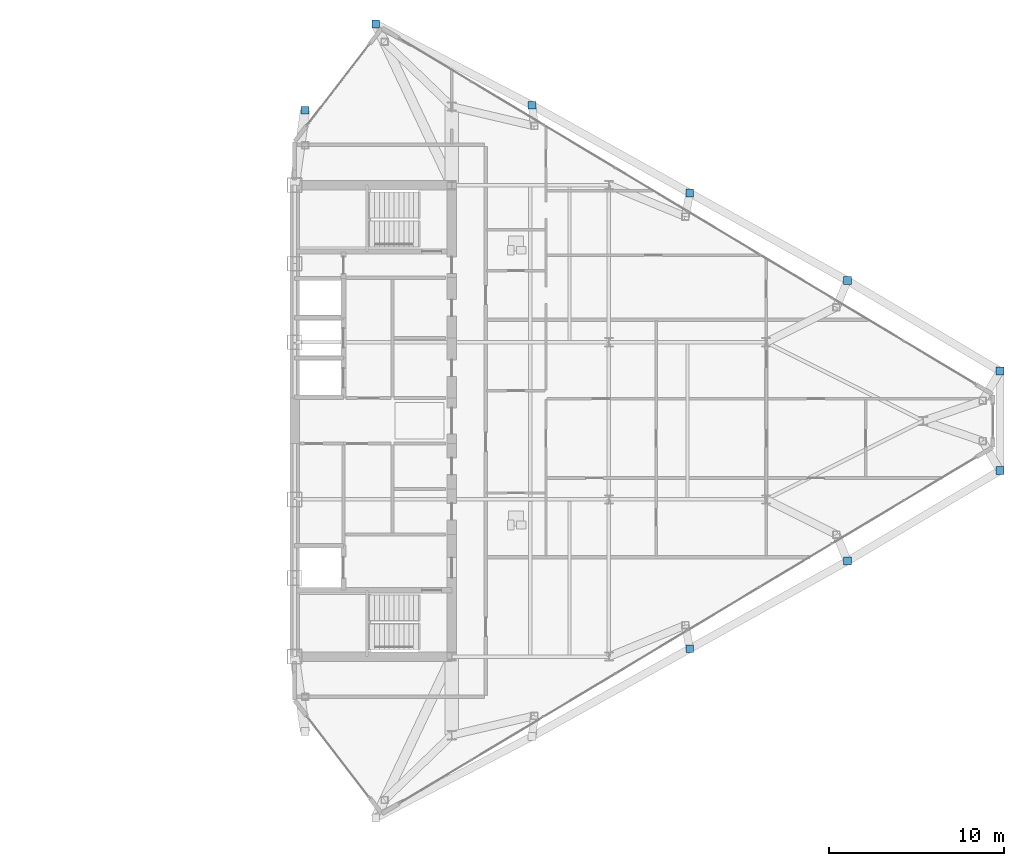
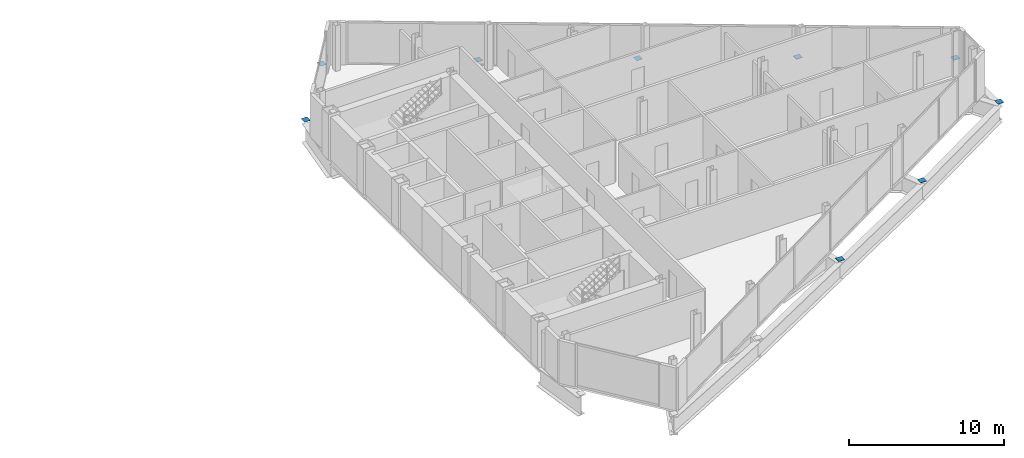
# One storey, part 27 of 29: 9 discrete accessories.
"""IFC4 building model written with IfcOpenShell, lengths in metres."""

from ifc_helpers import new_model, si_unit, direction, frame, origin, origin_2d, place, context, subcontext, project, spatial, rectangle, extrude, source, transform, mapped, material, type_object, type_shapes, element, save


model = new_model("IFC4")

# Units and contexts
model_context = context("Model", 3, precision=1e-05, world=origin(), true_north=direction((0.0, 1.0)))
body_context = subcontext(model_context, "Body", "Model", "MODEL_VIEW")
ifc_project = project(units=[si_unit("LENGTHUNIT", "METRE"), si_unit("AREAUNIT", "SQUARE_METRE"), si_unit("VOLUMEUNIT", "CUBIC_METRE"), si_unit("PLANEANGLEUNIT", "RADIAN"), si_unit("MASSUNIT", "GRAM", prefix="KILO")], contexts=[model_context])

# Site, building, storey
site_placement = place(None, origin())
site = spatial("IfcSite", under=ifc_project, at=site_placement, CompositionType="ELEMENT")
building_placement = place(site_placement, origin())
building = spatial("IfcBuilding", under=site, at=building_placement, Name="Seokmaru Belvedere", CompositionType="ELEMENT")
storey_placement = place(building_placement, frame((0.0, 0.0, 195.89990234375)))
storey = spatial("IfcBuildingStorey", under=building, at=storey_placement, Name="L52", CompositionType="ELEMENT", Elevation=195.89990234375)

# Discrete accessories
ifc_material = material(Name="Steel SM355 (355 MPa)", Category="steel")
discrete_accessory_type = type_object("IfcDiscreteAccessoryType", Name="End Cap Plate HSS-450x450x18", PredefinedType="USERDEFINED", material=ifc_material)
shared_shape = source(origin(), body_context, "Body", "SweptSolid", [
    extrude(rectangle(XDim=0.449951171875, YDim=0.449951171875, at=origin_2d()), origin(), (0.0, 0.0, 1.0), 0.01806640625),
])
type_shapes(discrete_accessory_type, [shared_shape])
for number, where, z_axis, x_axis, name in (
    (1, (67.89990234375, -2.84716796875, 0.0), (0.0, 0.0, 1.0), (1.0, 0.0, 0.0), "L51 Column EF2 End Cap Plate Top"),
    (2, (67.89990234375, 2.84716796875, 0.0), (0.0, 0.0, 1.0), (1.0, 0.0, 0.0), "L51 Column EF3 End Cap Plate Top"),
    (3, (32.146728515625, 22.731689453125, 0.0), (0.0, 0.0, 1.0), (1.0, 0.0, 0.0), "L51 Column EF4 End Cap Plate Top"),
    (4, (28.10009765625, 17.785888671875, 0.0), (0.0, 0.0, 1.0), (1.0, 0.0, 0.0), "L51 Column EF5 End Cap Plate Top"),
    (5, (50.129150390625, -13.051025390625, 0.0), (0.0, 0.0, 1.0), (1.0, 0.0, 0.0), "L51 Column EFLK_S2 End Cap Plate Top"),
    (6, (59.154541015625, -8.031494140625, 0.0), (0.0, 0.0, 1.0), (1.0, 0.0, 0.0), "L51 Column EFLK_S3 End Cap Plate Top"),
    (7, (41.103759765625, 18.07080078125, 0.0), (0.0, 0.0, 1.0), (1.0, 0.0, 0.0), "L51 Column EFLK_N1 End Cap Plate Top"),
    (8, (50.129150390625, 13.051025390625, 0.0), (0.0, 0.0, 1.0), (1.0, 0.0, 0.0), "L51 Column EFLK_N2 End Cap Plate Top"),
    (9, (59.154541015625, 8.031494140625, 0.0), (0.0, 0.0, 1.0), (1.0, 0.0, 0.0), "L51 Column EFLK_N3 End Cap Plate Top"),
):
    element("IfcDiscreteAccessory", number, at=place(storey_placement, frame(where, z_axis=z_axis, x_axis=x_axis)), inside=storey, type_object=discrete_accessory_type, Name=name, ObjectType="END_CAP_PLATE", PredefinedType="USERDEFINED", context=body_context, shape_type="MappedRepresentation", body=[
        mapped(shared_shape, transform((0.0, 0.0, 0.0), scale=1.0)),
    ])

save(model, "model.ifc")
